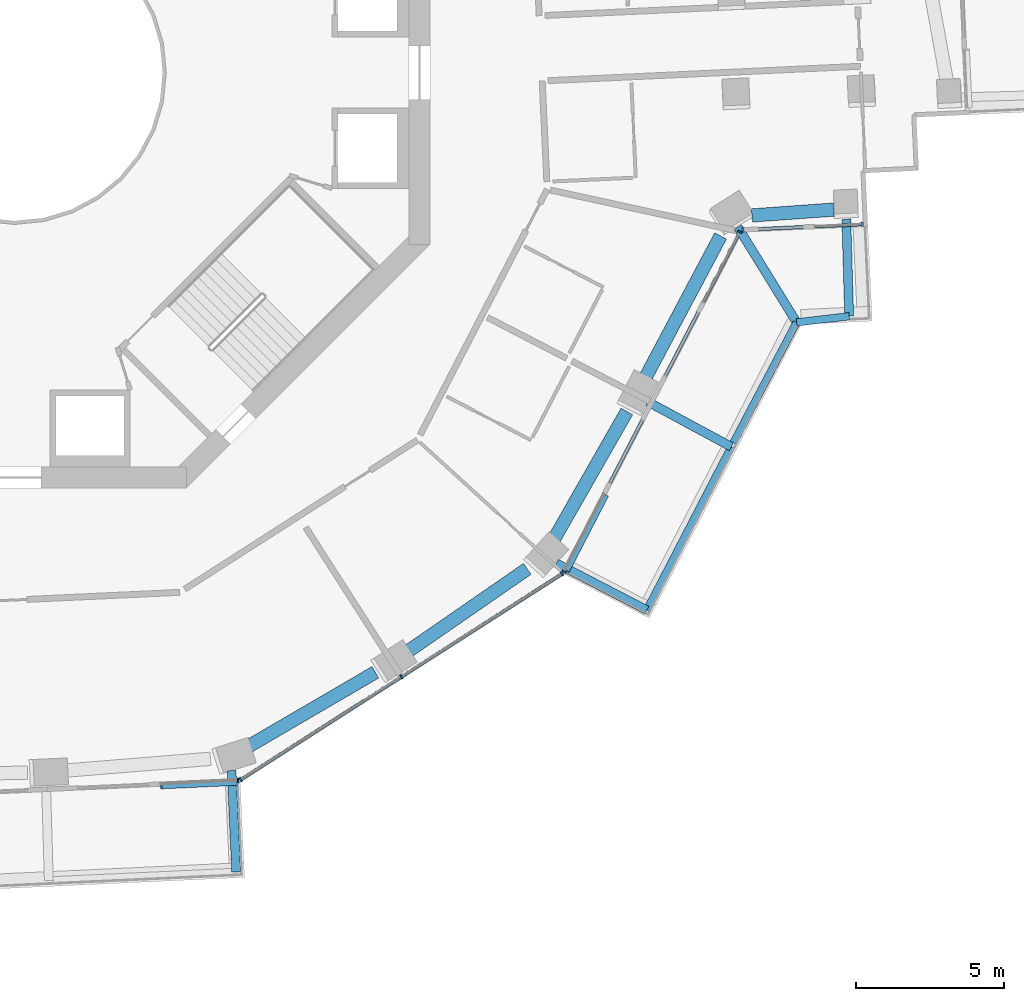
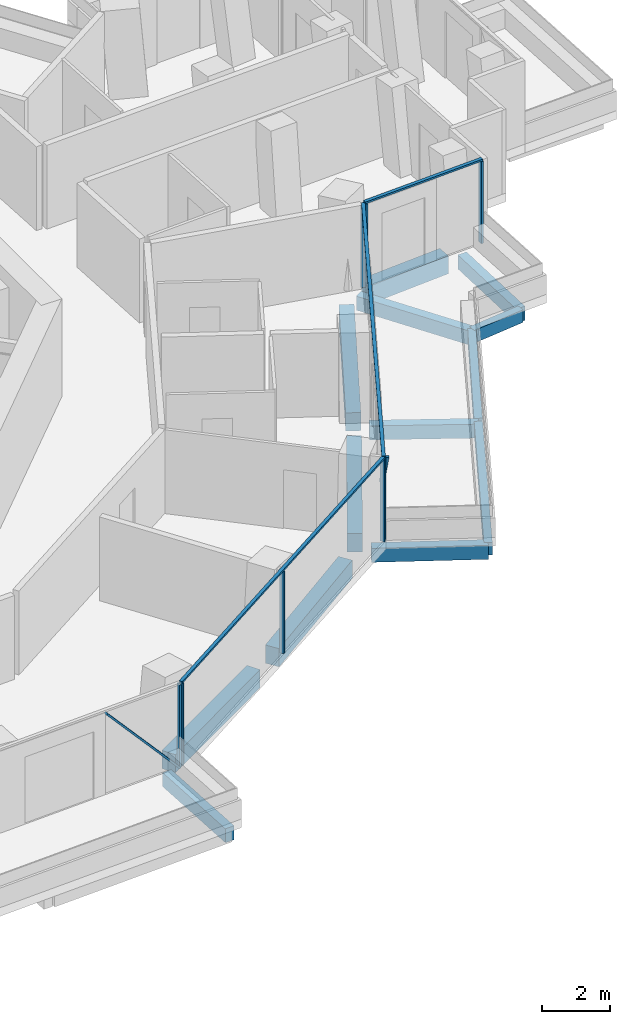
# One storey, part 5 of 22: 13 beams, 13 members, 4 elements without a shape of their own.
"""IFC4 building model written with IfcOpenShell, lengths in metres."""

from ifc_helpers import new_model, si_unit, direction, frame, origin, origin_2d, place, context, subcontext, project, spatial, rectangle, extrude, material, layer, layer_set, material_profile, profile_set, type_object, element, aggregate, save


model = new_model("IFC4")

# Units and contexts
model_context = context("Model", 3, precision=1e-05, world=origin(), true_north=direction((0.0, 1.0)))
body_context = subcontext(model_context, "Body", "Model", "MODEL_VIEW")
ifc_project = project(units=[si_unit("LENGTHUNIT", "METRE"), si_unit("AREAUNIT", "SQUARE_METRE"), si_unit("VOLUMEUNIT", "CUBIC_METRE"), si_unit("PLANEANGLEUNIT", "RADIAN"), si_unit("MASSUNIT", "GRAM", prefix="KILO")], contexts=[model_context])

# Site, building, storey
site_placement = place(None, origin())
site = spatial("IfcSite", under=ifc_project, at=site_placement, CompositionType="ELEMENT")
building_placement = place(site_placement, origin())
building = spatial("IfcBuilding", under=site, at=building_placement, Name="Verdalira Terraces Hotel", CompositionType="ELEMENT")
storey_placement = place(building_placement, frame((0.0, 0.0, 165.5)))
storey = spatial("IfcBuildingStorey", under=building, at=storey_placement, Name="L40", CompositionType="ELEMENT", Elevation=165.5)

# Beams
ifc_material_1 = material(Name="Concrete C40", Category="concrete")
ifc_material_profile_1 = material_profile(ifc_material_1, rectangle(XDim=0.300049, YDim=0.5, at=origin_2d()), Name="RC 300X500")
ifc_profile_set_1 = profile_set([ifc_material_profile_1], Name="Concrete C40")
beam_type_1 = type_object("IfcBeamType", Name="Balcony cantilever beam RC 300X500 C40", PredefinedType="BEAM", material=ifc_profile_set_1)
beam_1_placement = place(storey_placement, frame((7.318359, -23.529053, -0.560059), z_axis=(0.04601044, -0.998940959, 0.0), x_axis=(0.998940959, 0.04601044, 0.0)))
element("IfcBeam", 1, at=beam_1_placement, inside=storey, type_object=beam_type_1, Name="Balcony cantilever beam R24-2", PredefinedType="BEAM", context=body_context, shape_type="SweptSolid", body=[
    extrude(rectangle(XDim=0.300049, YDim=0.5, at=origin_2d()), origin(), (0.0, 0.0, 1.0), 3.417236),
])
beam_2_placement = place(storey_placement, frame((18.267822, -16.541992, -0.560059), z_axis=(0.888122517, -0.459606782, 0.0), x_axis=(0.459606782, 0.888122517, 0.0)))
element("IfcBeam", 2, at=beam_2_placement, inside=storey, type_object=beam_type_1, Name="Balcony cantilever beam R27-1", PredefinedType="BEAM", context=body_context, shape_type="SweptSolid", body=[
    extrude(rectangle(XDim=0.300049, YDim=0.5, at=origin_2d()), origin(), (0.0, 0.0, 1.0), 3.431396),
])
beam_3_placement = place(storey_placement, frame((21.347168, -11.094482, -0.560059), z_axis=(0.8803241, -0.474372721, 0.0), x_axis=(0.474372721, 0.8803241, 0.0)))
element("IfcBeam", 3, at=beam_3_placement, inside=storey, type_object=beam_type_1, Name="Balcony cantilever beam R27-2", PredefinedType="BEAM", context=body_context, shape_type="SweptSolid", body=[
    extrude(rectangle(XDim=0.300049, YDim=0.5, at=origin_2d()), origin(), (0.0, 0.0, 1.0), 3.200684),
])
beam_4_placement = place(storey_placement, frame((24.387207, -5.211182, -0.560059), z_axis=(0.5251702, -0.850997216, 0.0), x_axis=(0.850997216, 0.5251702, 0.0)))
element("IfcBeam", 4, at=beam_4_placement, inside=storey, type_object=beam_type_1, Name="Balcony cantilever beam R27-3", PredefinedType="BEAM", context=body_context, shape_type="SweptSolid", body=[
    extrude(rectangle(XDim=0.300049, YDim=0.5, at=origin_2d()), origin(), (0.0, 0.0, 1.0), 3.769775),
])
beam_5_placement = place(storey_placement, frame((28.041504, -4.944824, -0.560059), z_axis=(0.029348578, -0.999569238, 0.0), x_axis=(0.999569238, 0.029348578, 0.0)))
element("IfcBeam", 5, at=beam_5_placement, inside=storey, type_object=beam_type_1, Name="Balcony cantilever beam R27-4", PredefinedType="BEAM", context=body_context, shape_type="SweptSolid", body=[
    extrude(rectangle(XDim=0.300049, YDim=0.5, at=origin_2d()), origin(), (0.0, 0.0, 1.0), 3.269287),
])
ifc_material_2 = material(Name="Concrete C40", Category="concrete")
ifc_material_profile_2 = material_profile(ifc_material_2, rectangle(XDim=0.25, YDim=0.449951, at=origin_2d()), Name="RC 250X450")
ifc_profile_set_2 = profile_set([ifc_material_profile_2], Name="Concrete C40")
beam_type_2 = type_object("IfcBeamType", Name="Balcony edge beam RC 250X450 C40", PredefinedType="BEAM", material=ifc_profile_set_2)
beam_6_placement = place(storey_placement, frame((21.31543, -18.119141, -0.534912), z_axis=(0.45958253, 0.888135068, 0.0), x_axis=(-0.888135068, 0.45958253, 0.0)))
element("IfcBeam", 6, at=beam_6_placement, inside=storey, type_object=beam_type_2, Name="Balcony edge beam R27-1", PredefinedType="BEAM", context=body_context, shape_type="SweptSolid", body=[
    extrude(rectangle(XDim=0.25, YDim=0.449951, at=origin_2d()), origin(), (0.0, 0.0, 1.0), 6.199951),
])
beam_7_placement = place(storey_placement, frame((24.234619, -12.47998, -0.534912), z_axis=(0.464903792, 0.885361206, 0.0), x_axis=(-0.885361206, 0.464903792, 0.0)))
element("IfcBeam", 7, at=beam_7_placement, inside=storey, type_object=beam_type_2, Name="Balcony edge beam R27-2", PredefinedType="BEAM", context=body_context, shape_type="SweptSolid", body=[
    extrude(rectangle(XDim=0.25, YDim=0.449951, at=origin_2d()), origin(), (0.0, 0.0, 1.0), 4.58667),
])
beam_8_placement = place(storey_placement, frame((26.366943, -8.419189, -0.534912), z_axis=(0.99326419, 0.115871691, 0.0), x_axis=(-0.115871691, 0.99326419, 0.0)))
element("IfcBeam", 8, at=beam_8_placement, inside=storey, type_object=beam_type_2, Name="Balcony edge beam R27-3", PredefinedType="BEAM", context=body_context, shape_type="SweptSolid", body=[
    extrude(rectangle(XDim=0.25, YDim=0.449951, at=origin_2d()), origin(), (0.0, 0.0, 1.0), 1.782471),
])

# Curtain wall, member
ifc_material_3 = material(Name="Clear glass", Category="glass")
ifc_layer_1 = layer(ifc_material_3, 0.14990234375)
ifc_layer_set_1 = layer_set([ifc_layer_1], Name="CW1 curtain wall")
curtain_wall_type_1 = type_object("IfcCurtainWallType", Name="CW1 curtain wall", PredefinedType="NOTDEFINED", material=ifc_layer_set_1)
curtain_wall_1_placement = place(storey_placement, origin())
curtain_wall_1 = element("IfcCurtainWall", 9, at=curtain_wall_1_placement, inside=storey, type_object=curtain_wall_type_1, Name="CW1 curtain wall L40 edge 25", PredefinedType="NOTDEFINED")
ifc_material_4 = material(Name="Terracotta frame", Category="masonry")
ifc_material_profile_3 = material_profile(ifc_material_4, rectangle(XDim=0.060059, YDim=0.149902, at=origin_2d()), Name="MU 60x150")
ifc_profile_set_3 = profile_set([ifc_material_profile_3], Name="Terracotta frame")
member_type_1 = type_object("IfcMemberType", Name="CW1 mullion 60x150", PredefinedType="MULLION", material=ifc_profile_set_3)
member_1_placement = place(storey_placement, frame((7.536865, -23.861572, 0.0), z_axis=(0.0, 0.0, 1.0), x_axis=(0.998938657, 0.04606039, 0.0)))
member_1 = element("IfcMember", 10, at=member_1_placement, type_object=member_type_1, Name="CW1 mullion", PredefinedType="MULLION", context=body_context, shape_type="SweptSolid", body=[
    extrude(rectangle(XDim=0.060059, YDim=0.149902, at=origin_2d()), origin(), (0.0, 0.0, 1.0), 2.935059),
])

# Curtain wall, members
curtain_wall_2_placement = place(storey_placement, origin())
curtain_wall_2 = element("IfcCurtainWall", 11, at=curtain_wall_2_placement, inside=storey, type_object=curtain_wall_type_1, Name="CW1 curtain wall L40 edge 26", PredefinedType="NOTDEFINED")
member_2_placement = place(storey_placement, frame((7.62915, -23.832275, 0.0), z_axis=(0.0, 0.0, 1.0), x_axis=(0.842076059, 0.539358796, 0.0)))
member_2 = element("IfcMember", 12, at=member_2_placement, type_object=member_type_1, Name="CW1 mullion", PredefinedType="MULLION", context=body_context, shape_type="SweptSolid", body=[
    extrude(rectangle(XDim=0.060059, YDim=0.149902, at=origin_2d()), origin(), (0.0, 0.0, 1.0), 2.935059),
])
member_3_placement = place(storey_placement, frame((13.043457, -20.364258, 0.0), z_axis=(0.0, 0.0, 1.0), x_axis=(0.842076059, 0.539358796, 0.0)))
member_3 = element("IfcMember", 13, at=member_3_placement, type_object=member_type_1, Name="CW1 mullion", PredefinedType="MULLION", context=body_context, shape_type="SweptSolid", body=[
    extrude(rectangle(XDim=0.060059, YDim=0.149902, at=origin_2d()), origin(), (0.0, 0.0, 1.0), 2.935059),
])
member_4_placement = place(storey_placement, frame((18.457764, -16.89624, 0.0), z_axis=(0.0, 0.0, 1.0), x_axis=(0.842076059, 0.539358796, 0.0)))
member_4 = element("IfcMember", 14, at=member_4_placement, type_object=member_type_1, Name="CW1 mullion", PredefinedType="MULLION", context=body_context, shape_type="SweptSolid", body=[
    extrude(rectangle(XDim=0.060059, YDim=0.149902, at=origin_2d()), origin(), (0.0, 0.0, 1.0), 2.935059),
])

curtain_wall_3_placement = place(storey_placement, origin())
curtain_wall_3 = element("IfcCurtainWall", 15, at=curtain_wall_3_placement, inside=storey, type_object=curtain_wall_type_1, Name="CW1 curtain wall L40 edge 27", PredefinedType="NOTDEFINED")
member_5_placement = place(storey_placement, frame((18.523193, -16.824707, 0.0), z_axis=(0.0, 0.0, 1.0), x_axis=(0.459579861, 0.888136449, 0.0)))
member_5 = element("IfcMember", 16, at=member_5_placement, type_object=member_type_1, Name="CW1 mullion", PredefinedType="MULLION", context=body_context, shape_type="SweptSolid", body=[
    extrude(rectangle(XDim=0.060059, YDim=0.149902, at=origin_2d()), origin(), (0.0, 0.0, 1.0), 2.935059),
])
member_6_placement = place(storey_placement, frame((24.45166, -5.36792, 0.0), z_axis=(0.0, 0.0, 1.0), x_axis=(0.459579861, 0.888136449, 0.0)))
member_6 = element("IfcMember", 17, at=member_6_placement, type_object=member_type_1, Name="CW1 mullion", PredefinedType="MULLION", context=body_context, shape_type="SweptSolid", body=[
    extrude(rectangle(XDim=0.060059, YDim=0.149902, at=origin_2d()), origin(), (0.0, 0.0, 1.0), 2.935059),
])

# Member
ifc_material_5 = material(Name="Terracotta frame", Category="masonry")
ifc_material_profile_4 = material_profile(ifc_material_5, rectangle(XDim=0.110107, YDim=0.064941, at=origin_2d()), Name="TR 65x110")
ifc_profile_set_4 = profile_set([ifc_material_profile_4], Name="Terracotta frame")
member_type_2 = type_object("IfcMemberType", Name="CW1 transom 65x110", PredefinedType="USERDEFINED", material=ifc_profile_set_4)
member_7_placement = place(storey_placement, frame((7.60376, -23.848389, 2.967529), z_axis=(0.842079848, 0.53935288, 0.0), x_axis=(-0.53935288, 0.842079848, 0.0)))
member_7 = element("IfcMember", 18, at=member_7_placement, type_object=member_type_2, Name="CW1 transom", ObjectType="TRANSOM", PredefinedType="USERDEFINED", context=body_context, shape_type="SweptSolid", body=[
    extrude(rectangle(XDim=0.110107, YDim=0.064941, at=origin_2d()), origin(), (0.0, 0.0, 1.0), 12.919678),
])

aggregate(curtain_wall_2, [member_2, member_3, member_4, member_7])

member_8_placement = place(storey_placement, frame((18.509277, -16.851318, 2.967529), z_axis=(0.459581271, 0.888135719, 0.0), x_axis=(-0.888135719, 0.459581271, 0.0)))
member_8 = element("IfcMember", 19, at=member_8_placement, type_object=member_type_2, Name="CW1 transom", ObjectType="TRANSOM", PredefinedType="USERDEFINED", context=body_context, shape_type="SweptSolid", body=[
    extrude(rectangle(XDim=0.110107, YDim=0.064941, at=origin_2d()), origin(), (0.0, 0.0, 1.0), 12.959717),
])

# Curtain wall, members
ifc_material_6 = material(Name="Clear glass", Category="glass")
ifc_layer_2 = layer(ifc_material_6, 0.14990234375)
ifc_layer_set_2 = layer_set([ifc_layer_2], Name="CW2 curtain wall")
curtain_wall_type_2 = type_object("IfcCurtainWallType", Name="CW2 curtain wall", PredefinedType="NOTDEFINED", material=ifc_layer_set_2)
curtain_wall_4_placement = place(storey_placement, origin())
curtain_wall_4 = element("IfcCurtainWall", 20, at=curtain_wall_4_placement, inside=storey, type_object=curtain_wall_type_2, Name="CW2 curtain wall L40 edge 28", PredefinedType="NOTDEFINED")
ifc_material_7 = material(Name="Terracotta frame", Category="masonry")
ifc_material_profile_5 = material_profile(ifc_material_7, rectangle(XDim=0.070068, YDim=0.149902, at=origin_2d()), Name="MU 70x150")
ifc_profile_set_5 = profile_set([ifc_material_profile_5], Name="Terracotta frame")
member_type_3 = type_object("IfcMemberType", Name="CW2 mullion 70x150", PredefinedType="MULLION", material=ifc_profile_set_5)
member_9_placement = place(storey_placement, frame((24.563477, -5.299316, 0.0), z_axis=(0.0, 0.0, 1.0), x_axis=(0.998938657, 0.04606039, 0.0)))
member_9 = element("IfcMember", 21, at=member_9_placement, type_object=member_type_3, Name="CW2 mullion", PredefinedType="MULLION", context=body_context, shape_type="SweptSolid", body=[
    extrude(rectangle(XDim=0.070068, YDim=0.149902, at=origin_2d()), origin(), (0.0, 0.0, 1.0), 2.935059),
])
member_10_placement = place(storey_placement, frame((28.57959, -5.114014, 0.0), z_axis=(0.0, 0.0, 1.0), x_axis=(0.998938657, 0.04606039, 0.0)))
member_10 = element("IfcMember", 22, at=member_10_placement, type_object=member_type_3, Name="CW2 mullion", PredefinedType="MULLION", context=body_context, shape_type="SweptSolid", body=[
    extrude(rectangle(XDim=0.070068, YDim=0.149902, at=origin_2d()), origin(), (0.0, 0.0, 1.0), 2.935059),
])
ifc_material_8 = material(Name="Terracotta frame", Category="masonry")
ifc_material_profile_6 = material_profile(ifc_material_8, rectangle(XDim=0.11499, YDim=0.064941, at=origin_2d()), Name="TR 65x115")
ifc_profile_set_6 = profile_set([ifc_material_profile_6], Name="Terracotta frame")
member_type_4 = type_object("IfcMemberType", Name="CW2 transom 65x115", PredefinedType="USERDEFINED", material=ifc_profile_set_6)
member_11_placement = place(storey_placement, frame((24.528564, -5.300781, 2.967529), z_axis=(0.998937794, 0.04607911, 0.0), x_axis=(-0.04607911, 0.998937794, 0.0)))
member_11 = element("IfcMember", 23, at=member_11_placement, type_object=member_type_4, Name="CW2 transom", ObjectType="TRANSOM", PredefinedType="USERDEFINED", context=body_context, shape_type="SweptSolid", body=[
    extrude(rectangle(XDim=0.11499, YDim=0.064941, at=origin_2d()), origin(), (0.0, 0.0, 1.0), 4.090332),
])
aggregate(curtain_wall_4, [member_9, member_10, member_11])

# Member
ifc_material_9 = material(Name="Terracotta frame", Category="masonry")
ifc_material_profile_7 = material_profile(ifc_material_9, rectangle(XDim=0.149902, YDim=0.060059, at=origin_2d()), Name="GB 60x150")
ifc_profile_set_7 = profile_set([ifc_material_profile_7], Name="Terracotta frame")
member_type_5 = type_object("IfcMemberType", Name="Diagonal glazing bar 60x150", PredefinedType="USERDEFINED", material=ifc_profile_set_7)
member_12_placement = place(storey_placement, frame((4.951904, -24.069824, 2.907959), z_axis=(0.660357221, 0.03045846, -0.750333674), x_axis=(-0.046075232, 0.998937973, 0.0)))
member_12 = element("IfcMember", 24, at=member_12_placement, type_object=member_type_5, Name="Diagonal glazing bar", ObjectType="GLAZING BAR", PredefinedType="USERDEFINED", context=body_context, shape_type="SweptSolid", body=[
    extrude(rectangle(XDim=0.149902, YDim=0.060059, at=origin_2d()), origin(), (0.0, 0.0, 1.0), 3.839355),
])

aggregate(curtain_wall_1, [member_1, member_12])

member_13_placement = place(storey_placement, frame((18.626221, -16.818848, 2.912354), z_axis=(0.324428333, 0.626892969, -0.70834417), x_axis=(-0.888117408, 0.459616656, 0.0)))
member_13 = element("IfcMember", 25, at=member_13_placement, type_object=member_type_5, Name="Diagonal glazing bar", ObjectType="GLAZING BAR", PredefinedType="USERDEFINED", context=body_context, shape_type="SweptSolid", body=[
    extrude(rectangle(XDim=0.149902, YDim=0.060059, at=origin_2d()), origin(), (0.0, 0.0, 1.0), 4.079346),
])

aggregate(curtain_wall_3, [member_5, member_6, member_8, member_13])

# Beams
ifc_material_10 = material(Name="Concrete C50", Category="concrete")
ifc_material_profile_8 = material_profile(ifc_material_10, rectangle(XDim=0.449951, YDim=0.649902, at=origin_2d()), Name="RC 450X650")
ifc_profile_set_8 = profile_set([ifc_material_profile_8], Name="Concrete C50")
beam_type_3 = type_object("IfcBeamType", Name="Spandrel beam RC 450X650 C50", PredefinedType="SPANDREL", material=ifc_profile_set_8)
beam_9_placement = place(storey_placement, frame((7.834961, -22.741699, -0.63501), z_axis=(0.863662351, 0.504070772, 0.0), x_axis=(-0.504070772, 0.863662351, 0.0)))
element("IfcBeam", 26, at=beam_9_placement, inside=storey, type_object=beam_type_3, Name="Spandrel beam B11", PredefinedType="SPANDREL", context=body_context, shape_type="SweptSolid", body=[
    extrude(rectangle(XDim=0.449951, YDim=0.649902, at=origin_2d()), origin(), (0.0, 0.0, 1.0), 5.015381),
])
beam_10_placement = place(storey_placement, frame((13.164307, -19.578369, -0.63501), z_axis=(0.822518219, 0.568738762, 0.0), x_axis=(-0.568738762, 0.822518219, 0.0)))
element("IfcBeam", 27, at=beam_10_placement, inside=storey, type_object=beam_type_3, Name="Spandrel beam B12", PredefinedType="SPANDREL", context=body_context, shape_type="SweptSolid", body=[
    extrude(rectangle(XDim=0.449951, YDim=0.649902, at=origin_2d()), origin(), (0.0, 0.0, 1.0), 5.012207),
])
beam_11_placement = place(storey_placement, frame((18.15625, -15.777588, -0.63501), z_axis=(0.495871566, 0.868395872, 0.0), x_axis=(-0.868395872, 0.495871566, 0.0)))
element("IfcBeam", 28, at=beam_11_placement, inside=storey, type_object=beam_type_3, Name="Spandrel beam B13", PredefinedType="SPANDREL", context=body_context, shape_type="SweptSolid", body=[
    extrude(rectangle(XDim=0.449951, YDim=0.649902, at=origin_2d()), origin(), (0.0, 0.0, 1.0), 5.015625),
])
beam_12_placement = place(storey_placement, frame((21.204834, -10.402832, -0.63501), z_axis=(0.468745255, 0.883333394, 0.0), x_axis=(-0.883333394, 0.468745255, 0.0)))
element("IfcBeam", 29, at=beam_12_placement, inside=storey, type_object=beam_type_3, Name="Spandrel beam B14", PredefinedType="SPANDREL", context=body_context, shape_type="SweptSolid", body=[
    extrude(rectangle(XDim=0.449951, YDim=0.649902, at=origin_2d()), origin(), (0.0, 0.0, 1.0), 5.544922),
])
beam_13_placement = place(storey_placement, frame((24.859375, -4.814697, -0.63501), z_axis=(0.997466311, 0.071140416, 0.0), x_axis=(-0.071140416, 0.997466311, 0.0)))
element("IfcBeam", 30, at=beam_13_placement, inside=storey, type_object=beam_type_3, Name="Spandrel beam B15", PredefinedType="SPANDREL", context=body_context, shape_type="SweptSolid", body=[
    extrude(rectangle(XDim=0.449951, YDim=0.649902, at=origin_2d()), origin(), (0.0, 0.0, 1.0), 2.766113),
])

save(model, "model.ifc")
